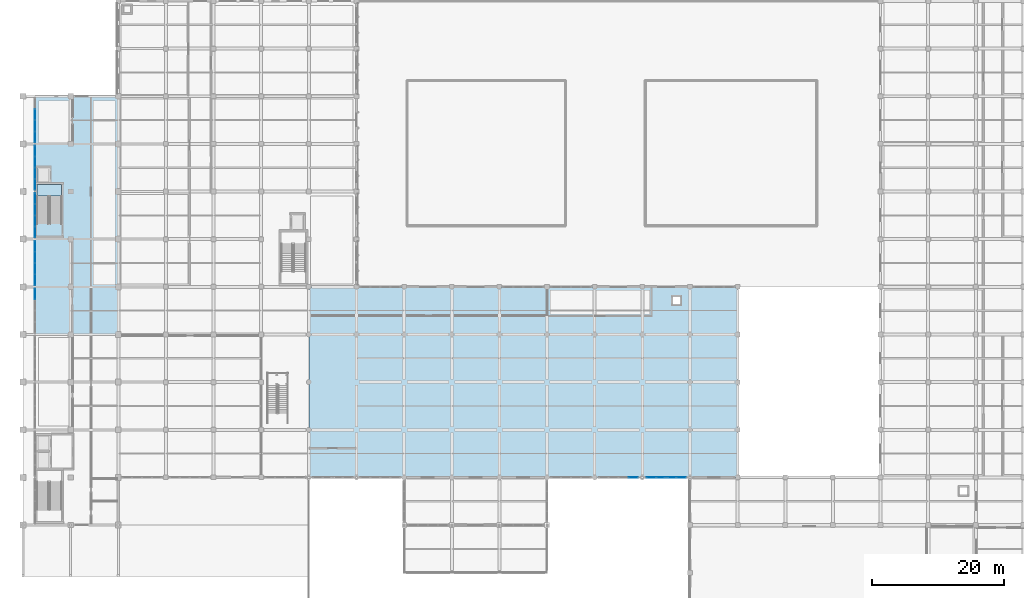
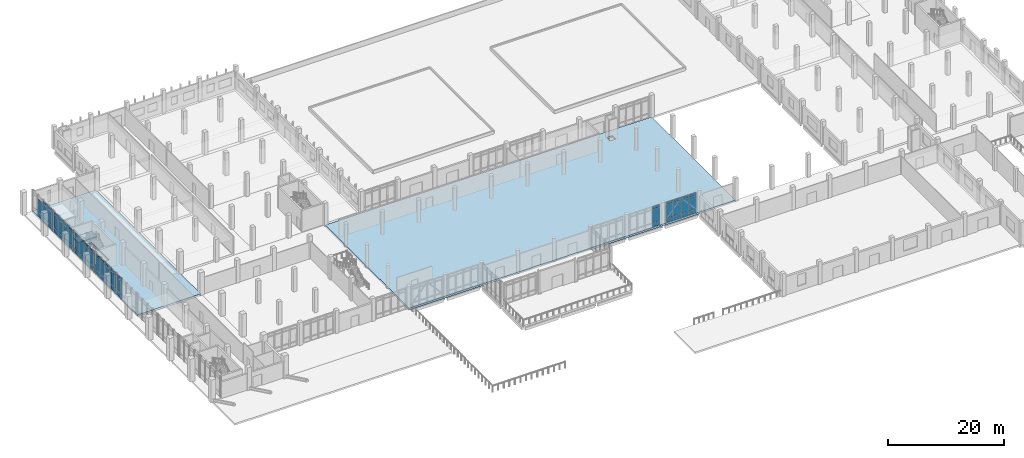
# One storey, part 30 of 59: 62 plates, 3 slabs, 8 elements without a shape of their own.
"""IFC4 building model written with IfcOpenShell, lengths in metres."""

from ifc_helpers import new_model, si_unit, direction, frame, origin, origin_2d, place, context, subcontext, project, spatial, polyline, rectangle, outline, extrude, material, layer, layer_set, type_object, element, aggregate, save


model = new_model("IFC4")

# Units and contexts
model_context = context("Model", 3, precision=1e-05, world=origin(), true_north=direction((0.0, 1.0)))
body_context = subcontext(model_context, "Body", "Model", "MODEL_VIEW")
ifc_project = project(units=[si_unit("LENGTHUNIT", "METRE"), si_unit("AREAUNIT", "SQUARE_METRE"), si_unit("VOLUMEUNIT", "CUBIC_METRE"), si_unit("PLANEANGLEUNIT", "RADIAN"), si_unit("MASSUNIT", "GRAM", prefix="KILO")], contexts=[model_context])

# Site, building, storey
site_placement = place(None, origin())
site = spatial("IfcSite", under=ifc_project, at=site_placement, CompositionType="ELEMENT")
building_placement = place(site_placement, origin())
building = spatial("IfcBuilding", under=site, at=building_placement, Name="Valkovuoma Quantum and Materials Research Institute", CompositionType="ELEMENT")
storey_placement = place(building_placement, origin())
storey = spatial("IfcBuildingStorey", under=building, at=storey_placement, Name="L00", CompositionType="ELEMENT", Elevation=0.0)

# Curtain wall, plates
ifc_material_1 = material(Name="Thermally broken aluminium and triple low-E glazing", Category="aluminium")
ifc_layer_1 = layer(ifc_material_1, 0.219970703125)
ifc_layer_set_1 = layer_set([ifc_layer_1], Name="Thermally broken aluminium and triple low-E glazing")
curtain_wall_type_1 = type_object("IfcCurtainWallType", Name="CW-CW-03", PredefinedType="NOTDEFINED", material=ifc_layer_set_1)
curtain_wall_1_placement = place(storey_placement, origin())
curtain_wall_1 = element("IfcCurtainWall", 1, at=curtain_wall_1_placement, inside=storey, type_object=curtain_wall_type_1, Name="L00 curtain wall 004", PredefinedType="NOTDEFINED")
ifc_material_2 = material(Name="Triple low-E argon insulating glass", Category="glass")
ifc_layer_2 = layer(ifc_material_2, 0.035888671875)
ifc_layer_set_2 = layer_set([ifc_layer_2], Name="Triple low-E argon insulating glass")
plate_type_1 = type_object("IfcPlateType", Name="CWPanel-CWP-01", PredefinedType="CURTAIN_PANEL", material=ifc_layer_set_2)
plate_1_placement = place(storey_placement, frame((1.800048828125, 63.731201171875, 0.06494140625), z_axis=(0.0, 0.0, 1.0), x_axis=(0.0, 1.0, 0.0)))
plate_1 = element("IfcPlate", 2, at=plate_1_placement, type_object=plate_type_1, Name="CW-03 panel 4.1", PredefinedType="CURTAIN_PANEL", context=body_context, shape_type="SweptSolid", body=[
    extrude(rectangle(XDim=1.58740234375, YDim=0.035888671875, at=origin_2d()), origin(), (0.0, 0.0, 1.0), 0.8525390625),
])
plate_2_placement = place(storey_placement, frame((1.800048828125, 63.731201171875, 0.982421875), z_axis=(0.0, 0.0, 1.0), x_axis=(0.0, 1.0, 0.0)))
plate_2 = element("IfcPlate", 3, at=plate_2_placement, type_object=plate_type_1, Name="CW-03 panel 4.2", PredefinedType="CURTAIN_PANEL", context=body_context, shape_type="SweptSolid", body=[
    extrude(rectangle(XDim=1.58740234375, YDim=0.035888671875, at=origin_2d()), origin(), (0.0, 0.0, 1.0), 2.735107421875),
])
plate_3_placement = place(storey_placement, frame((1.800048828125, 63.731201171875, 3.78271484375), z_axis=(0.0, 0.0, 1.0), x_axis=(0.0, 1.0, 0.0)))
plate_3 = element("IfcPlate", 4, at=plate_3_placement, type_object=plate_type_1, Name="CW-03 panel 4.3", PredefinedType="CURTAIN_PANEL", context=body_context, shape_type="SweptSolid", body=[
    extrude(rectangle(XDim=1.58740234375, YDim=0.035888671875, at=origin_2d()), origin(), (0.0, 0.0, 1.0), 0.552490234375),
])
aggregate(curtain_wall_1, [plate_1, plate_2, plate_3])

curtain_wall_2_placement = place(storey_placement, origin())
curtain_wall_2 = element("IfcCurtainWall", 5, at=curtain_wall_2_placement, inside=storey, type_object=curtain_wall_type_1, Name="L00 curtain wall 005", PredefinedType="NOTDEFINED")
plate_4_placement = place(storey_placement, frame((1.800048828125, 65.86865234375, 0.06494140625), z_axis=(0.0, 0.0, 1.0), x_axis=(0.0, 1.0, 0.0)))
plate_4 = element("IfcPlate", 6, at=plate_4_placement, type_object=plate_type_1, Name="CW-03 panel 1.1", PredefinedType="CURTAIN_PANEL", context=body_context, shape_type="SweptSolid", body=[
    extrude(rectangle(XDim=1.58740234375, YDim=0.035888671875, at=origin_2d()), origin(), (0.0, 0.0, 1.0), 0.8525390625),
])
plate_5_placement = place(storey_placement, frame((1.800048828125, 65.86865234375, 0.982421875), z_axis=(0.0, 0.0, 1.0), x_axis=(0.0, 1.0, 0.0)))
plate_5 = element("IfcPlate", 7, at=plate_5_placement, type_object=plate_type_1, Name="CW-03 panel 1.2", PredefinedType="CURTAIN_PANEL", context=body_context, shape_type="SweptSolid", body=[
    extrude(rectangle(XDim=1.58740234375, YDim=0.035888671875, at=origin_2d()), origin(), (0.0, 0.0, 1.0), 2.735107421875),
])
plate_6_placement = place(storey_placement, frame((1.800048828125, 65.86865234375, 3.78271484375), z_axis=(0.0, 0.0, 1.0), x_axis=(0.0, 1.0, 0.0)))
plate_6 = element("IfcPlate", 8, at=plate_6_placement, type_object=plate_type_1, Name="CW-03 panel 1.3", PredefinedType="CURTAIN_PANEL", context=body_context, shape_type="SweptSolid", body=[
    extrude(rectangle(XDim=1.58740234375, YDim=0.035888671875, at=origin_2d()), origin(), (0.0, 0.0, 1.0), 0.552490234375),
])
plate_7_placement = place(storey_placement, frame((1.800048828125, 67.550048828125, 0.06494140625), z_axis=(0.0, 0.0, 1.0), x_axis=(0.0, 1.0, 0.0)))
plate_7 = element("IfcPlate", 9, at=plate_7_placement, type_object=plate_type_1, Name="CW-03 panel 2.1", PredefinedType="CURTAIN_PANEL", context=body_context, shape_type="SweptSolid", body=[
    extrude(rectangle(XDim=1.625, YDim=0.035888671875, at=origin_2d()), origin(), (0.0, 0.0, 1.0), 0.8525390625),
])
plate_8_placement = place(storey_placement, frame((1.800048828125, 67.550048828125, 0.982421875), z_axis=(0.0, 0.0, 1.0), x_axis=(0.0, 1.0, 0.0)))
plate_8 = element("IfcPlate", 10, at=plate_8_placement, type_object=plate_type_1, Name="CW-03 panel 2.2", PredefinedType="CURTAIN_PANEL", context=body_context, shape_type="SweptSolid", body=[
    extrude(rectangle(XDim=1.625, YDim=0.035888671875, at=origin_2d()), origin(), (0.0, 0.0, 1.0), 2.735107421875),
])
plate_9_placement = place(storey_placement, frame((1.800048828125, 67.550048828125, 3.78271484375), z_axis=(0.0, 0.0, 1.0), x_axis=(0.0, 1.0, 0.0)))
plate_9 = element("IfcPlate", 11, at=plate_9_placement, type_object=plate_type_1, Name="CW-03 panel 2.3", PredefinedType="CURTAIN_PANEL", context=body_context, shape_type="SweptSolid", body=[
    extrude(rectangle(XDim=1.625, YDim=0.035888671875, at=origin_2d()), origin(), (0.0, 0.0, 1.0), 0.552490234375),
])
plate_10_placement = place(storey_placement, frame((1.800048828125, 69.25, 0.06494140625), z_axis=(0.0, 0.0, 1.0), x_axis=(0.0, 1.0, 0.0)))
plate_10 = element("IfcPlate", 12, at=plate_10_placement, type_object=plate_type_1, Name="CW-03 panel 3.1", PredefinedType="CURTAIN_PANEL", context=body_context, shape_type="SweptSolid", body=[
    extrude(rectangle(XDim=1.625, YDim=0.035888671875, at=origin_2d()), origin(), (0.0, 0.0, 1.0), 0.8525390625),
])
plate_11_placement = place(storey_placement, frame((1.800048828125, 69.25, 0.982421875), z_axis=(0.0, 0.0, 1.0), x_axis=(0.0, 1.0, 0.0)))
plate_11 = element("IfcPlate", 13, at=plate_11_placement, type_object=plate_type_1, Name="CW-03 panel 3.2", PredefinedType="CURTAIN_PANEL", context=body_context, shape_type="SweptSolid", body=[
    extrude(rectangle(XDim=1.625, YDim=0.035888671875, at=origin_2d()), origin(), (0.0, 0.0, 1.0), 2.735107421875),
])
plate_12_placement = place(storey_placement, frame((1.800048828125, 69.25, 3.78271484375), z_axis=(0.0, 0.0, 1.0), x_axis=(0.0, 1.0, 0.0)))
plate_12 = element("IfcPlate", 14, at=plate_12_placement, type_object=plate_type_1, Name="CW-03 panel 3.3", PredefinedType="CURTAIN_PANEL", context=body_context, shape_type="SweptSolid", body=[
    extrude(rectangle(XDim=1.625, YDim=0.035888671875, at=origin_2d()), origin(), (0.0, 0.0, 1.0), 0.552490234375),
])
plate_13_placement = place(storey_placement, frame((1.800048828125, 70.93115234375, 0.06494140625), z_axis=(0.0, 0.0, 1.0), x_axis=(0.0, 1.0, 0.0)))
plate_13 = element("IfcPlate", 15, at=plate_13_placement, type_object=plate_type_1, Name="CW-03 panel 4.1", PredefinedType="CURTAIN_PANEL", context=body_context, shape_type="SweptSolid", body=[
    extrude(rectangle(XDim=1.58740234375, YDim=0.035888671875, at=origin_2d()), origin(), (0.0, 0.0, 1.0), 0.8525390625),
])
plate_14_placement = place(storey_placement, frame((1.800048828125, 70.93115234375, 0.982421875), z_axis=(0.0, 0.0, 1.0), x_axis=(0.0, 1.0, 0.0)))
plate_14 = element("IfcPlate", 16, at=plate_14_placement, type_object=plate_type_1, Name="CW-03 panel 4.2", PredefinedType="CURTAIN_PANEL", context=body_context, shape_type="SweptSolid", body=[
    extrude(rectangle(XDim=1.58740234375, YDim=0.035888671875, at=origin_2d()), origin(), (0.0, 0.0, 1.0), 2.735107421875),
])
plate_15_placement = place(storey_placement, frame((1.800048828125, 70.93115234375, 3.78271484375), z_axis=(0.0, 0.0, 1.0), x_axis=(0.0, 1.0, 0.0)))
plate_15 = element("IfcPlate", 17, at=plate_15_placement, type_object=plate_type_1, Name="CW-03 panel 4.3", PredefinedType="CURTAIN_PANEL", context=body_context, shape_type="SweptSolid", body=[
    extrude(rectangle(XDim=1.58740234375, YDim=0.035888671875, at=origin_2d()), origin(), (0.0, 0.0, 1.0), 0.552490234375),
])
aggregate(curtain_wall_2, [plate_4, plate_5, plate_6, plate_7, plate_8, plate_9, plate_10, plate_11, plate_12, plate_13, plate_14, plate_15])

curtain_wall_3_placement = place(storey_placement, origin())
curtain_wall_3 = element("IfcCurtainWall", 18, at=curtain_wall_3_placement, inside=storey, type_object=curtain_wall_type_1, Name="L00 curtain wall CW-L00-V5-10", PredefinedType="NOTDEFINED")
plate_16_placement = place(storey_placement, frame((1.800048828125, 73.06884765625, 0.06494140625), z_axis=(0.0, 0.0, 1.0), x_axis=(0.0, 1.0, 0.0)))
plate_16 = element("IfcPlate", 19, at=plate_16_placement, type_object=plate_type_1, Name="CW-03 panel 1.1", PredefinedType="CURTAIN_PANEL", context=body_context, shape_type="SweptSolid", body=[
    extrude(rectangle(XDim=1.58740234375, YDim=0.035888671875, at=origin_2d()), origin(), (0.0, 0.0, 1.0), 0.8525390625),
])
plate_17_placement = place(storey_placement, frame((1.800048828125, 73.06884765625, 0.982421875), z_axis=(0.0, 0.0, 1.0), x_axis=(0.0, 1.0, 0.0)))
plate_17 = element("IfcPlate", 20, at=plate_17_placement, type_object=plate_type_1, Name="CW-03 panel 1.2", PredefinedType="CURTAIN_PANEL", context=body_context, shape_type="SweptSolid", body=[
    extrude(rectangle(XDim=1.58740234375, YDim=0.035888671875, at=origin_2d()), origin(), (0.0, 0.0, 1.0), 2.735107421875),
])
plate_18_placement = place(storey_placement, frame((1.800048828125, 73.06884765625, 3.78271484375), z_axis=(0.0, 0.0, 1.0), x_axis=(0.0, 1.0, 0.0)))
plate_18 = element("IfcPlate", 21, at=plate_18_placement, type_object=plate_type_1, Name="CW-03 panel 1.3", PredefinedType="CURTAIN_PANEL", context=body_context, shape_type="SweptSolid", body=[
    extrude(rectangle(XDim=1.58740234375, YDim=0.035888671875, at=origin_2d()), origin(), (0.0, 0.0, 1.0), 0.552490234375),
])
plate_19_placement = place(storey_placement, frame((1.800048828125, 74.75, 0.06494140625), z_axis=(0.0, 0.0, 1.0), x_axis=(0.0, 1.0, 0.0)))
plate_19 = element("IfcPlate", 22, at=plate_19_placement, type_object=plate_type_1, Name="CW-03 panel 2.1", PredefinedType="CURTAIN_PANEL", context=body_context, shape_type="SweptSolid", body=[
    extrude(rectangle(XDim=1.625, YDim=0.035888671875, at=origin_2d()), origin(), (0.0, 0.0, 1.0), 0.8525390625),
])
plate_20_placement = place(storey_placement, frame((1.800048828125, 74.75, 0.982421875), z_axis=(0.0, 0.0, 1.0), x_axis=(0.0, 1.0, 0.0)))
plate_20 = element("IfcPlate", 23, at=plate_20_placement, type_object=plate_type_1, Name="CW-03 panel 2.2", PredefinedType="CURTAIN_PANEL", context=body_context, shape_type="SweptSolid", body=[
    extrude(rectangle(XDim=1.625, YDim=0.035888671875, at=origin_2d()), origin(), (0.0, 0.0, 1.0), 2.735107421875),
])
plate_21_placement = place(storey_placement, frame((1.800048828125, 74.75, 3.78271484375), z_axis=(0.0, 0.0, 1.0), x_axis=(0.0, 1.0, 0.0)))
plate_21 = element("IfcPlate", 24, at=plate_21_placement, type_object=plate_type_1, Name="CW-03 panel 2.3", PredefinedType="CURTAIN_PANEL", context=body_context, shape_type="SweptSolid", body=[
    extrude(rectangle(XDim=1.625, YDim=0.035888671875, at=origin_2d()), origin(), (0.0, 0.0, 1.0), 0.552490234375),
])
plate_22_placement = place(storey_placement, frame((1.800048828125, 76.449951171875, 0.06494140625), z_axis=(0.0, 0.0, 1.0), x_axis=(0.0, 1.0, 0.0)))
plate_22 = element("IfcPlate", 25, at=plate_22_placement, type_object=plate_type_1, Name="CW-03 panel 3.1", PredefinedType="CURTAIN_PANEL", context=body_context, shape_type="SweptSolid", body=[
    extrude(rectangle(XDim=1.625, YDim=0.035888671875, at=origin_2d()), origin(), (0.0, 0.0, 1.0), 0.8525390625),
])
plate_23_placement = place(storey_placement, frame((1.800048828125, 76.449951171875, 0.982421875), z_axis=(0.0, 0.0, 1.0), x_axis=(0.0, 1.0, 0.0)))
plate_23 = element("IfcPlate", 26, at=plate_23_placement, type_object=plate_type_1, Name="CW-03 panel 3.2", PredefinedType="CURTAIN_PANEL", context=body_context, shape_type="SweptSolid", body=[
    extrude(rectangle(XDim=1.625, YDim=0.035888671875, at=origin_2d()), origin(), (0.0, 0.0, 1.0), 2.735107421875),
])
plate_24_placement = place(storey_placement, frame((1.800048828125, 76.449951171875, 3.78271484375), z_axis=(0.0, 0.0, 1.0), x_axis=(0.0, 1.0, 0.0)))
plate_24 = element("IfcPlate", 27, at=plate_24_placement, type_object=plate_type_1, Name="CW-03 panel 3.3", PredefinedType="CURTAIN_PANEL", context=body_context, shape_type="SweptSolid", body=[
    extrude(rectangle(XDim=1.625, YDim=0.035888671875, at=origin_2d()), origin(), (0.0, 0.0, 1.0), 0.552490234375),
])
plate_25_placement = place(storey_placement, frame((1.800048828125, 78.13134765625, 0.06494140625), z_axis=(0.0, 0.0, 1.0), x_axis=(0.0, 1.0, 0.0)))
plate_25 = element("IfcPlate", 28, at=plate_25_placement, type_object=plate_type_1, Name="CW-03 panel 4.1", PredefinedType="CURTAIN_PANEL", context=body_context, shape_type="SweptSolid", body=[
    extrude(rectangle(XDim=1.58740234375, YDim=0.035888671875, at=origin_2d()), origin(), (0.0, 0.0, 1.0), 0.8525390625),
])
plate_26_placement = place(storey_placement, frame((1.800048828125, 78.13134765625, 0.982421875), z_axis=(0.0, 0.0, 1.0), x_axis=(0.0, 1.0, 0.0)))
plate_26 = element("IfcPlate", 29, at=plate_26_placement, type_object=plate_type_1, Name="CW-03 panel 4.2", PredefinedType="CURTAIN_PANEL", context=body_context, shape_type="SweptSolid", body=[
    extrude(rectangle(XDim=1.58740234375, YDim=0.035888671875, at=origin_2d()), origin(), (0.0, 0.0, 1.0), 2.735107421875),
])
plate_27_placement = place(storey_placement, frame((1.800048828125, 78.13134765625, 3.78271484375), z_axis=(0.0, 0.0, 1.0), x_axis=(0.0, 1.0, 0.0)))
plate_27 = element("IfcPlate", 30, at=plate_27_placement, type_object=plate_type_1, Name="CW-03 panel 4.3", PredefinedType="CURTAIN_PANEL", context=body_context, shape_type="SweptSolid", body=[
    extrude(rectangle(XDim=1.58740234375, YDim=0.035888671875, at=origin_2d()), origin(), (0.0, 0.0, 1.0), 0.552490234375),
])
aggregate(curtain_wall_3, [plate_16, plate_17, plate_18, plate_19, plate_20, plate_21, plate_22, plate_23, plate_24, plate_25, plate_26, plate_27])

curtain_wall_4_placement = place(storey_placement, origin())
curtain_wall_4 = element("IfcCurtainWall", 31, at=curtain_wall_4_placement, inside=storey, type_object=curtain_wall_type_1, Name="L00 curtain wall 006", PredefinedType="NOTDEFINED")
plate_28_placement = place(storey_placement, frame((1.800048828125, 80.268798828125, 0.06494140625), z_axis=(0.0, 0.0, 1.0), x_axis=(0.0, 1.0, 0.0)))
plate_28 = element("IfcPlate", 32, at=plate_28_placement, type_object=plate_type_1, Name="CW-03 panel 1.1", PredefinedType="CURTAIN_PANEL", context=body_context, shape_type="SweptSolid", body=[
    extrude(rectangle(XDim=1.58740234375, YDim=0.035888671875, at=origin_2d()), origin(), (0.0, 0.0, 1.0), 0.8525390625),
])
plate_29_placement = place(storey_placement, frame((1.800048828125, 80.268798828125, 0.982421875), z_axis=(0.0, 0.0, 1.0), x_axis=(0.0, 1.0, 0.0)))
plate_29 = element("IfcPlate", 33, at=plate_29_placement, type_object=plate_type_1, Name="CW-03 panel 1.2", PredefinedType="CURTAIN_PANEL", context=body_context, shape_type="SweptSolid", body=[
    extrude(rectangle(XDim=1.58740234375, YDim=0.035888671875, at=origin_2d()), origin(), (0.0, 0.0, 1.0), 2.735107421875),
])
plate_30_placement = place(storey_placement, frame((1.800048828125, 80.268798828125, 3.78271484375), z_axis=(0.0, 0.0, 1.0), x_axis=(0.0, 1.0, 0.0)))
plate_30 = element("IfcPlate", 34, at=plate_30_placement, type_object=plate_type_1, Name="CW-03 panel 1.3", PredefinedType="CURTAIN_PANEL", context=body_context, shape_type="SweptSolid", body=[
    extrude(rectangle(XDim=1.58740234375, YDim=0.035888671875, at=origin_2d()), origin(), (0.0, 0.0, 1.0), 0.552490234375),
])
plate_31_placement = place(storey_placement, frame((1.800048828125, 81.949951171875, 0.06494140625), z_axis=(0.0, 0.0, 1.0), x_axis=(0.0, 1.0, 0.0)))
plate_31 = element("IfcPlate", 35, at=plate_31_placement, type_object=plate_type_1, Name="CW-03 panel 2.1", PredefinedType="CURTAIN_PANEL", context=body_context, shape_type="SweptSolid", body=[
    extrude(rectangle(XDim=1.625, YDim=0.035888671875, at=origin_2d()), origin(), (0.0, 0.0, 1.0), 0.8525390625),
])
plate_32_placement = place(storey_placement, frame((1.800048828125, 81.949951171875, 0.982421875), z_axis=(0.0, 0.0, 1.0), x_axis=(0.0, 1.0, 0.0)))
plate_32 = element("IfcPlate", 36, at=plate_32_placement, type_object=plate_type_1, Name="CW-03 panel 2.2", PredefinedType="CURTAIN_PANEL", context=body_context, shape_type="SweptSolid", body=[
    extrude(rectangle(XDim=1.625, YDim=0.035888671875, at=origin_2d()), origin(), (0.0, 0.0, 1.0), 2.735107421875),
])
plate_33_placement = place(storey_placement, frame((1.800048828125, 81.949951171875, 3.78271484375), z_axis=(0.0, 0.0, 1.0), x_axis=(0.0, 1.0, 0.0)))
plate_33 = element("IfcPlate", 37, at=plate_33_placement, type_object=plate_type_1, Name="CW-03 panel 2.3", PredefinedType="CURTAIN_PANEL", context=body_context, shape_type="SweptSolid", body=[
    extrude(rectangle(XDim=1.625, YDim=0.035888671875, at=origin_2d()), origin(), (0.0, 0.0, 1.0), 0.552490234375),
])
plate_34_placement = place(storey_placement, frame((1.800048828125, 83.64990234375, 0.06494140625), z_axis=(0.0, 0.0, 1.0), x_axis=(0.0, 1.0, 0.0)))
plate_34 = element("IfcPlate", 38, at=plate_34_placement, type_object=plate_type_1, Name="CW-03 panel 3.1", PredefinedType="CURTAIN_PANEL", context=body_context, shape_type="SweptSolid", body=[
    extrude(rectangle(XDim=1.625, YDim=0.035888671875, at=origin_2d()), origin(), (0.0, 0.0, 1.0), 0.8525390625),
])
plate_35_placement = place(storey_placement, frame((1.800048828125, 83.64990234375, 0.982421875), z_axis=(0.0, 0.0, 1.0), x_axis=(0.0, 1.0, 0.0)))
plate_35 = element("IfcPlate", 39, at=plate_35_placement, type_object=plate_type_1, Name="CW-03 panel 3.2", PredefinedType="CURTAIN_PANEL", context=body_context, shape_type="SweptSolid", body=[
    extrude(rectangle(XDim=1.625, YDim=0.035888671875, at=origin_2d()), origin(), (0.0, 0.0, 1.0), 2.735107421875),
])
plate_36_placement = place(storey_placement, frame((1.800048828125, 83.64990234375, 3.78271484375), z_axis=(0.0, 0.0, 1.0), x_axis=(0.0, 1.0, 0.0)))
plate_36 = element("IfcPlate", 40, at=plate_36_placement, type_object=plate_type_1, Name="CW-03 panel 3.3", PredefinedType="CURTAIN_PANEL", context=body_context, shape_type="SweptSolid", body=[
    extrude(rectangle(XDim=1.625, YDim=0.035888671875, at=origin_2d()), origin(), (0.0, 0.0, 1.0), 0.552490234375),
])
plate_37_placement = place(storey_placement, frame((1.800048828125, 85.331298828125, 0.06494140625), z_axis=(0.0, 0.0, 1.0), x_axis=(0.0, 1.0, 0.0)))
plate_37 = element("IfcPlate", 41, at=plate_37_placement, type_object=plate_type_1, Name="CW-03 panel 4.1", PredefinedType="CURTAIN_PANEL", context=body_context, shape_type="SweptSolid", body=[
    extrude(rectangle(XDim=1.58740234375, YDim=0.035888671875, at=origin_2d()), origin(), (0.0, 0.0, 1.0), 0.8525390625),
])
plate_38_placement = place(storey_placement, frame((1.800048828125, 85.331298828125, 0.982421875), z_axis=(0.0, 0.0, 1.0), x_axis=(0.0, 1.0, 0.0)))
plate_38 = element("IfcPlate", 42, at=plate_38_placement, type_object=plate_type_1, Name="CW-03 panel 4.2", PredefinedType="CURTAIN_PANEL", context=body_context, shape_type="SweptSolid", body=[
    extrude(rectangle(XDim=1.58740234375, YDim=0.035888671875, at=origin_2d()), origin(), (0.0, 0.0, 1.0), 2.735107421875),
])
plate_39_placement = place(storey_placement, frame((1.800048828125, 85.331298828125, 3.78271484375), z_axis=(0.0, 0.0, 1.0), x_axis=(0.0, 1.0, 0.0)))
plate_39 = element("IfcPlate", 43, at=plate_39_placement, type_object=plate_type_1, Name="CW-03 panel 4.3", PredefinedType="CURTAIN_PANEL", context=body_context, shape_type="SweptSolid", body=[
    extrude(rectangle(XDim=1.58740234375, YDim=0.035888671875, at=origin_2d()), origin(), (0.0, 0.0, 1.0), 0.552490234375),
])
aggregate(curtain_wall_4, [plate_28, plate_29, plate_30, plate_31, plate_32, plate_33, plate_34, plate_35, plate_36, plate_37, plate_38, plate_39])

curtain_wall_5_placement = place(storey_placement, origin())
curtain_wall_5 = element("IfcCurtainWall", 44, at=curtain_wall_5_placement, inside=storey, type_object=curtain_wall_type_1, Name="L00 curtain wall 007", PredefinedType="NOTDEFINED")
plate_40_placement = place(storey_placement, frame((1.800048828125, 87.46875, 0.06494140625), z_axis=(0.0, 0.0, 1.0), x_axis=(0.0, 1.0, 0.0)))
plate_40 = element("IfcPlate", 45, at=plate_40_placement, type_object=plate_type_1, Name="CW-03 panel 1.1", PredefinedType="CURTAIN_PANEL", context=body_context, shape_type="SweptSolid", body=[
    extrude(rectangle(XDim=1.58740234375, YDim=0.035888671875, at=origin_2d()), origin(), (0.0, 0.0, 1.0), 0.8525390625),
])
plate_41_placement = place(storey_placement, frame((1.800048828125, 87.46875, 0.982421875), z_axis=(0.0, 0.0, 1.0), x_axis=(0.0, 1.0, 0.0)))
plate_41 = element("IfcPlate", 46, at=plate_41_placement, type_object=plate_type_1, Name="CW-03 panel 1.2", PredefinedType="CURTAIN_PANEL", context=body_context, shape_type="SweptSolid", body=[
    extrude(rectangle(XDim=1.58740234375, YDim=0.035888671875, at=origin_2d()), origin(), (0.0, 0.0, 1.0), 2.735107421875),
])
plate_42_placement = place(storey_placement, frame((1.800048828125, 87.46875, 3.78271484375), z_axis=(0.0, 0.0, 1.0), x_axis=(0.0, 1.0, 0.0)))
plate_42 = element("IfcPlate", 47, at=plate_42_placement, type_object=plate_type_1, Name="CW-03 panel 1.3", PredefinedType="CURTAIN_PANEL", context=body_context, shape_type="SweptSolid", body=[
    extrude(rectangle(XDim=1.58740234375, YDim=0.035888671875, at=origin_2d()), origin(), (0.0, 0.0, 1.0), 0.552490234375),
])
plate_43_placement = place(storey_placement, frame((1.800048828125, 89.14990234375, 0.06494140625), z_axis=(0.0, 0.0, 1.0), x_axis=(0.0, 1.0, 0.0)))
plate_43 = element("IfcPlate", 48, at=plate_43_placement, type_object=plate_type_1, Name="CW-03 panel 2.1", PredefinedType="CURTAIN_PANEL", context=body_context, shape_type="SweptSolid", body=[
    extrude(rectangle(XDim=1.625, YDim=0.035888671875, at=origin_2d()), origin(), (0.0, 0.0, 1.0), 0.8525390625),
])
plate_44_placement = place(storey_placement, frame((1.800048828125, 89.14990234375, 0.982421875), z_axis=(0.0, 0.0, 1.0), x_axis=(0.0, 1.0, 0.0)))
plate_44 = element("IfcPlate", 49, at=plate_44_placement, type_object=plate_type_1, Name="CW-03 panel 2.2", PredefinedType="CURTAIN_PANEL", context=body_context, shape_type="SweptSolid", body=[
    extrude(rectangle(XDim=1.625, YDim=0.035888671875, at=origin_2d()), origin(), (0.0, 0.0, 1.0), 2.735107421875),
])
plate_45_placement = place(storey_placement, frame((1.800048828125, 89.14990234375, 3.78271484375), z_axis=(0.0, 0.0, 1.0), x_axis=(0.0, 1.0, 0.0)))
plate_45 = element("IfcPlate", 50, at=plate_45_placement, type_object=plate_type_1, Name="CW-03 panel 2.3", PredefinedType="CURTAIN_PANEL", context=body_context, shape_type="SweptSolid", body=[
    extrude(rectangle(XDim=1.625, YDim=0.035888671875, at=origin_2d()), origin(), (0.0, 0.0, 1.0), 0.552490234375),
])
plate_46_placement = place(storey_placement, frame((1.800048828125, 90.85009765625, 0.06494140625), z_axis=(0.0, 0.0, 1.0), x_axis=(0.0, 1.0, 0.0)))
plate_46 = element("IfcPlate", 51, at=plate_46_placement, type_object=plate_type_1, Name="CW-03 panel 3.1", PredefinedType="CURTAIN_PANEL", context=body_context, shape_type="SweptSolid", body=[
    extrude(rectangle(XDim=1.625, YDim=0.035888671875, at=origin_2d()), origin(), (0.0, 0.0, 1.0), 0.8525390625),
])
plate_47_placement = place(storey_placement, frame((1.800048828125, 90.85009765625, 0.982421875), z_axis=(0.0, 0.0, 1.0), x_axis=(0.0, 1.0, 0.0)))
plate_47 = element("IfcPlate", 52, at=plate_47_placement, type_object=plate_type_1, Name="CW-03 panel 3.2", PredefinedType="CURTAIN_PANEL", context=body_context, shape_type="SweptSolid", body=[
    extrude(rectangle(XDim=1.625, YDim=0.035888671875, at=origin_2d()), origin(), (0.0, 0.0, 1.0), 2.735107421875),
])
aggregate(curtain_wall_5, [plate_40, plate_41, plate_42, plate_43, plate_44, plate_45, plate_46, plate_47])

ifc_material_3 = material(Name="Thermally broken aluminium and triple low-E glazing", Category="aluminium")
ifc_layer_3 = layer(ifc_material_3, 0.219970703125)
ifc_layer_set_3 = layer_set([ifc_layer_3], Name="Thermally broken aluminium and triple low-E glazing")
curtain_wall_type_2 = type_object("IfcCurtainWallType", Name="CW-CW-02", PredefinedType="NOTDEFINED", material=ifc_layer_set_3)
curtain_wall_6_placement = place(storey_placement, origin())
curtain_wall_6 = element("IfcCurtainWall", 53, at=curtain_wall_6_placement, inside=storey, type_object=curtain_wall_type_2, Name="L00 curtain wall 153", PredefinedType="NOTDEFINED")
ifc_material_4 = material(Name="Triple low-E argon insulating glass", Category="glass")
ifc_layer_4 = layer(ifc_material_4, 0.048095703125)
ifc_layer_set_4 = layer_set([ifc_layer_4], Name="Triple low-E argon insulating glass")
plate_type_2 = type_object("IfcPlateType", Name="CWPanel-CWP-03", PredefinedType="CURTAIN_PANEL", material=ifc_layer_set_4)
plate_48_placement = place(storey_placement, frame((92.2451171875, 36.0, 0.074951171875), z_axis=(0.0, 0.0, 1.0), x_axis=(1.0, 0.0, 0.0)))
plate_48 = element("IfcPlate", 54, at=plate_48_placement, type_object=plate_type_2, Name="CW-02 panel 4.1", PredefinedType="CURTAIN_PANEL", context=body_context, shape_type="SweptSolid", body=[
    extrude(rectangle(XDim=1.389892578125, YDim=0.048095703125, at=origin_2d()), origin(), (0.0, 0.0, 1.0), 0.83740234375),
])
plate_49_placement = place(storey_placement, frame((92.2451171875, 36.0, 0.987548828125), z_axis=(0.0, 0.0, 1.0), x_axis=(1.0, 0.0, 0.0)))
plate_49 = element("IfcPlate", 55, at=plate_49_placement, type_object=plate_type_2, Name="CW-02 panel 4.2", PredefinedType="CURTAIN_PANEL", context=body_context, shape_type="SweptSolid", body=[
    extrude(rectangle(XDim=1.389892578125, YDim=0.048095703125, at=origin_2d()), origin(), (0.0, 0.0, 1.0), 2.77490234375),
])
plate_50_placement = place(storey_placement, frame((92.2451171875, 36.0, 3.83740234375), z_axis=(0.0, 0.0, 1.0), x_axis=(1.0, 0.0, 0.0)))
plate_50 = element("IfcPlate", 56, at=plate_50_placement, type_object=plate_type_2, Name="CW-02 panel 4.3", PredefinedType="CURTAIN_PANEL", context=body_context, shape_type="SweptSolid", body=[
    extrude(rectangle(XDim=1.389892578125, YDim=0.048095703125, at=origin_2d()), origin(), (0.0, 0.0, 1.0), 0.53759765625),
])
aggregate(curtain_wall_6, [plate_48, plate_49, plate_50])

curtain_wall_7_placement = place(storey_placement, origin())
curtain_wall_7 = element("IfcCurtainWall", 57, at=curtain_wall_7_placement, inside=storey, type_object=curtain_wall_type_2, Name="L00 curtain wall 154", PredefinedType="NOTDEFINED")
plate_51_placement = place(storey_placement, frame((94.955078125, 36.0, 0.074951171875), z_axis=(0.0, 0.0, 1.0), x_axis=(1.0, 0.0, 0.0)))
plate_51 = element("IfcPlate", 58, at=plate_51_placement, type_object=plate_type_2, Name="CW-02 panel 1.1", PredefinedType="CURTAIN_PANEL", context=body_context, shape_type="SweptSolid", body=[
    extrude(rectangle(XDim=1.389892578125, YDim=0.048095703125, at=origin_2d()), origin(), (0.0, 0.0, 1.0), 0.83740234375),
])
plate_52_placement = place(storey_placement, frame((94.955078125, 36.0, 0.987548828125), z_axis=(0.0, 0.0, 1.0), x_axis=(1.0, 0.0, 0.0)))
plate_52 = element("IfcPlate", 59, at=plate_52_placement, type_object=plate_type_2, Name="CW-02 panel 1.2", PredefinedType="CURTAIN_PANEL", context=body_context, shape_type="SweptSolid", body=[
    extrude(rectangle(XDim=1.389892578125, YDim=0.048095703125, at=origin_2d()), origin(), (0.0, 0.0, 1.0), 2.77490234375),
])
plate_53_placement = place(storey_placement, frame((94.955078125, 36.0, 3.83740234375), z_axis=(0.0, 0.0, 1.0), x_axis=(1.0, 0.0, 0.0)))
plate_53 = element("IfcPlate", 60, at=plate_53_placement, type_object=plate_type_2, Name="CW-02 panel 1.3", PredefinedType="CURTAIN_PANEL", context=body_context, shape_type="SweptSolid", body=[
    extrude(rectangle(XDim=1.389892578125, YDim=0.048095703125, at=origin_2d()), origin(), (0.0, 0.0, 1.0), 0.53759765625),
])
plate_54_placement = place(storey_placement, frame((96.445068359375, 36.0, 0.074951171875), z_axis=(0.0, 0.0, 1.0), x_axis=(1.0, 0.0, 0.0)))
plate_54 = element("IfcPlate", 61, at=plate_54_placement, type_object=plate_type_2, Name="CW-02 panel 2.1", PredefinedType="CURTAIN_PANEL", context=body_context, shape_type="SweptSolid", body=[
    extrude(rectangle(XDim=1.429931640625, YDim=0.048095703125, at=origin_2d()), origin(), (0.0, 0.0, 1.0), 0.83740234375),
])
plate_55_placement = place(storey_placement, frame((96.445068359375, 36.0, 0.987548828125), z_axis=(0.0, 0.0, 1.0), x_axis=(1.0, 0.0, 0.0)))
plate_55 = element("IfcPlate", 62, at=plate_55_placement, type_object=plate_type_2, Name="CW-02 panel 2.2", PredefinedType="CURTAIN_PANEL", context=body_context, shape_type="SweptSolid", body=[
    extrude(rectangle(XDim=1.429931640625, YDim=0.048095703125, at=origin_2d()), origin(), (0.0, 0.0, 1.0), 2.77490234375),
])
plate_56_placement = place(storey_placement, frame((96.445068359375, 36.0, 3.83740234375), z_axis=(0.0, 0.0, 1.0), x_axis=(1.0, 0.0, 0.0)))
plate_56 = element("IfcPlate", 63, at=plate_56_placement, type_object=plate_type_2, Name="CW-02 panel 2.3", PredefinedType="CURTAIN_PANEL", context=body_context, shape_type="SweptSolid", body=[
    extrude(rectangle(XDim=1.429931640625, YDim=0.048095703125, at=origin_2d()), origin(), (0.0, 0.0, 1.0), 0.53759765625),
])
plate_57_placement = place(storey_placement, frame((97.955078125, 36.0, 0.074951171875), z_axis=(0.0, 0.0, 1.0), x_axis=(1.0, 0.0, 0.0)))
plate_57 = element("IfcPlate", 64, at=plate_57_placement, type_object=plate_type_2, Name="CW-02 panel 3.1", PredefinedType="CURTAIN_PANEL", context=body_context, shape_type="SweptSolid", body=[
    extrude(rectangle(XDim=1.429931640625, YDim=0.048095703125, at=origin_2d()), origin(), (0.0, 0.0, 1.0), 0.83740234375),
])
plate_58_placement = place(storey_placement, frame((97.955078125, 36.0, 0.987548828125), z_axis=(0.0, 0.0, 1.0), x_axis=(1.0, 0.0, 0.0)))
plate_58 = element("IfcPlate", 65, at=plate_58_placement, type_object=plate_type_2, Name="CW-02 panel 3.2", PredefinedType="CURTAIN_PANEL", context=body_context, shape_type="SweptSolid", body=[
    extrude(rectangle(XDim=1.429931640625, YDim=0.048095703125, at=origin_2d()), origin(), (0.0, 0.0, 1.0), 2.77490234375),
])
plate_59_placement = place(storey_placement, frame((97.955078125, 36.0, 3.83740234375), z_axis=(0.0, 0.0, 1.0), x_axis=(1.0, 0.0, 0.0)))
plate_59 = element("IfcPlate", 66, at=plate_59_placement, type_object=plate_type_2, Name="CW-02 panel 3.3", PredefinedType="CURTAIN_PANEL", context=body_context, shape_type="SweptSolid", body=[
    extrude(rectangle(XDim=1.429931640625, YDim=0.048095703125, at=origin_2d()), origin(), (0.0, 0.0, 1.0), 0.53759765625),
])
plate_60_placement = place(storey_placement, frame((99.445068359375, 36.0, 0.074951171875), z_axis=(0.0, 0.0, 1.0), x_axis=(1.0, 0.0, 0.0)))
plate_60 = element("IfcPlate", 67, at=plate_60_placement, type_object=plate_type_2, Name="CW-02 panel 4.1", PredefinedType="CURTAIN_PANEL", context=body_context, shape_type="SweptSolid", body=[
    extrude(rectangle(XDim=1.389892578125, YDim=0.048095703125, at=origin_2d()), origin(), (0.0, 0.0, 1.0), 0.83740234375),
])
plate_61_placement = place(storey_placement, frame((99.445068359375, 36.0, 0.987548828125), z_axis=(0.0, 0.0, 1.0), x_axis=(1.0, 0.0, 0.0)))
plate_61 = element("IfcPlate", 68, at=plate_61_placement, type_object=plate_type_2, Name="CW-02 panel 4.2", PredefinedType="CURTAIN_PANEL", context=body_context, shape_type="SweptSolid", body=[
    extrude(rectangle(XDim=1.389892578125, YDim=0.048095703125, at=origin_2d()), origin(), (0.0, 0.0, 1.0), 2.77490234375),
])
plate_62_placement = place(storey_placement, frame((99.445068359375, 36.0, 3.83740234375), z_axis=(0.0, 0.0, 1.0), x_axis=(1.0, 0.0, 0.0)))
plate_62 = element("IfcPlate", 69, at=plate_62_placement, type_object=plate_type_2, Name="CW-02 panel 4.3", PredefinedType="CURTAIN_PANEL", context=body_context, shape_type="SweptSolid", body=[
    extrude(rectangle(XDim=1.389892578125, YDim=0.048095703125, at=origin_2d()), origin(), (0.0, 0.0, 1.0), 0.53759765625),
])
aggregate(curtain_wall_7, [plate_51, plate_52, plate_53, plate_54, plate_55, plate_56, plate_57, plate_58, plate_59, plate_60, plate_61, plate_62])

# Slabs
ifc_material_5 = material(Name="Concrete C40/50", Category="concrete")
ifc_layer_5 = layer(ifc_material_5, 0.39990234375)
ifc_layer_set_5 = layer_set([ifc_layer_5], Name="Concrete C40/50")
slab_type_1 = type_object("IfcSlabType", Name="Slab-SL-FL400", PredefinedType="FLOOR", material=ifc_layer_set_5)
slab_1_placement = place(storey_placement, frame((0.0, 0.0, -0.39990234375)))
element("IfcSlab", 70, at=slab_1_placement, inside=storey, type_object=slab_type_1, Name="L00 vol2_atrium structural slab 2", PredefinedType="FLOOR", context=body_context, shape_type="SweptSolid", body=[
    extrude(outline(polyline([(43.199951171875, 36.0), (108.0, 36.0), (108.0, 64.800048828125), (43.199951171875, 64.800048828125), (43.199951171875, 36.0)]), holes=[polyline([(98.199951171875, 62.199951171875), (99.300048828125, 62.199951171875), (99.300048828125, 63.300048828125), (98.199951171875, 63.300048828125), (98.199951171875, 62.199951171875)])]), origin(), (0.0, 0.0, 1.0), 0.39990234375),
])
slab_2_placement = place(storey_placement, frame((0.0, 0.0, -0.39990234375)))
element("IfcSlab", 71, at=slab_2_placement, inside=storey, type_object=slab_type_1, Name="L00 vol5_drylab structural slab 2", PredefinedType="FLOOR", context=body_context, shape_type="SweptSolid", body=[
    extrude(outline(polyline([(1.800048828125, 57.60009765625), (14.39990234375, 57.60009765625), (14.39990234375, 93.60009765625), (1.800048828125, 93.60009765625), (1.800048828125, 57.60009765625)]), holes=[polyline([(2.10009765625, 74.360107421875), (5.85009765625, 74.360107421875), (5.85009765625, 80.300048828125), (2.10009765625, 80.300048828125), (2.10009765625, 74.360107421875)]), polyline([(2.219970703125, 80.52001953125), (3.97998046875, 80.52001953125), (3.97998046875, 82.780029296875), (2.219970703125, 82.780029296875), (2.219970703125, 80.52001953125)])]), origin(), (0.0, 0.0, 1.0), 0.39990234375),
])

# Stair, slab
ifc_material_6 = material(Name="Concrete C40/50", Category="concrete")
stair_type = type_object("IfcStairType", Name="Stair-ST-COR", PredefinedType="HALF_TURN_STAIR", material=ifc_material_6)
stair_placement = place(storey_placement, origin())
stair = element("IfcStair", 72, at=stair_placement, inside=storey, type_object=stair_type, Name="L00 Exit Stair ST-2", PredefinedType="HALF_TURN_STAIR")
ifc_material_7 = material(Name="Concrete C40/50", Category="concrete")
ifc_layer_6 = layer(ifc_material_7, 0.199951171875)
ifc_layer_set_6 = layer_set([ifc_layer_6], Name="Concrete C40/50")
slab_type_2 = type_object("IfcSlabType", Name="Slab-SL-LND200", PredefinedType="LANDING", material=ifc_layer_set_6)
slab_3_placement = place(storey_placement, frame((0.0, 0.0, 2.199951171875)))
slab_3 = element("IfcSlab", 73, at=slab_3_placement, type_object=slab_type_2, Name="ST-2 landing 1", PredefinedType="LANDING", context=body_context, shape_type="SweptSolid", body=[
    extrude(outline(polyline([(5.85009765625, 78.5), (5.85009765625, 80.300048828125), (2.10009765625, 80.300048828125), (2.10009765625, 78.5), (5.85009765625, 78.5)])), origin(), (0.0, 0.0, 1.0), 0.199951171875),
])
aggregate(stair, [slab_3])

save(model, "model.ifc")
